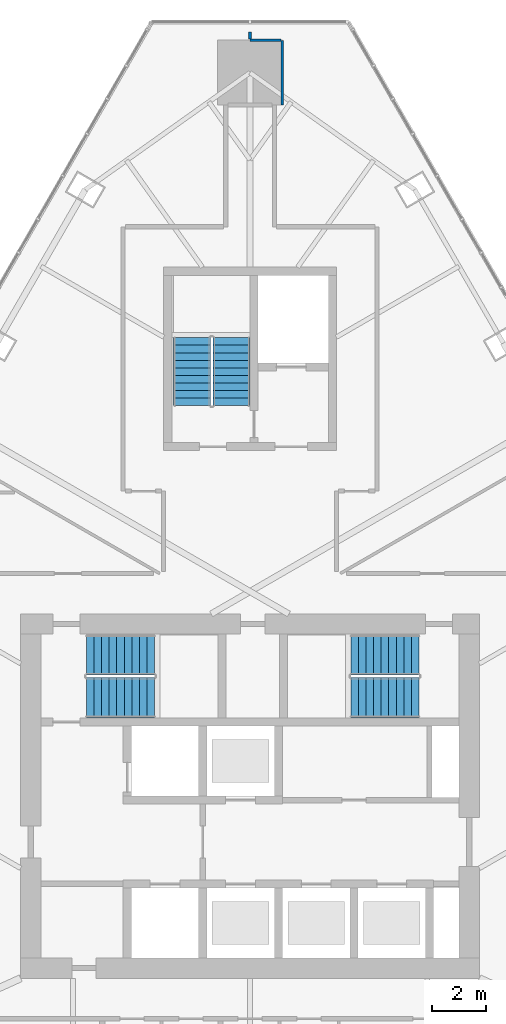
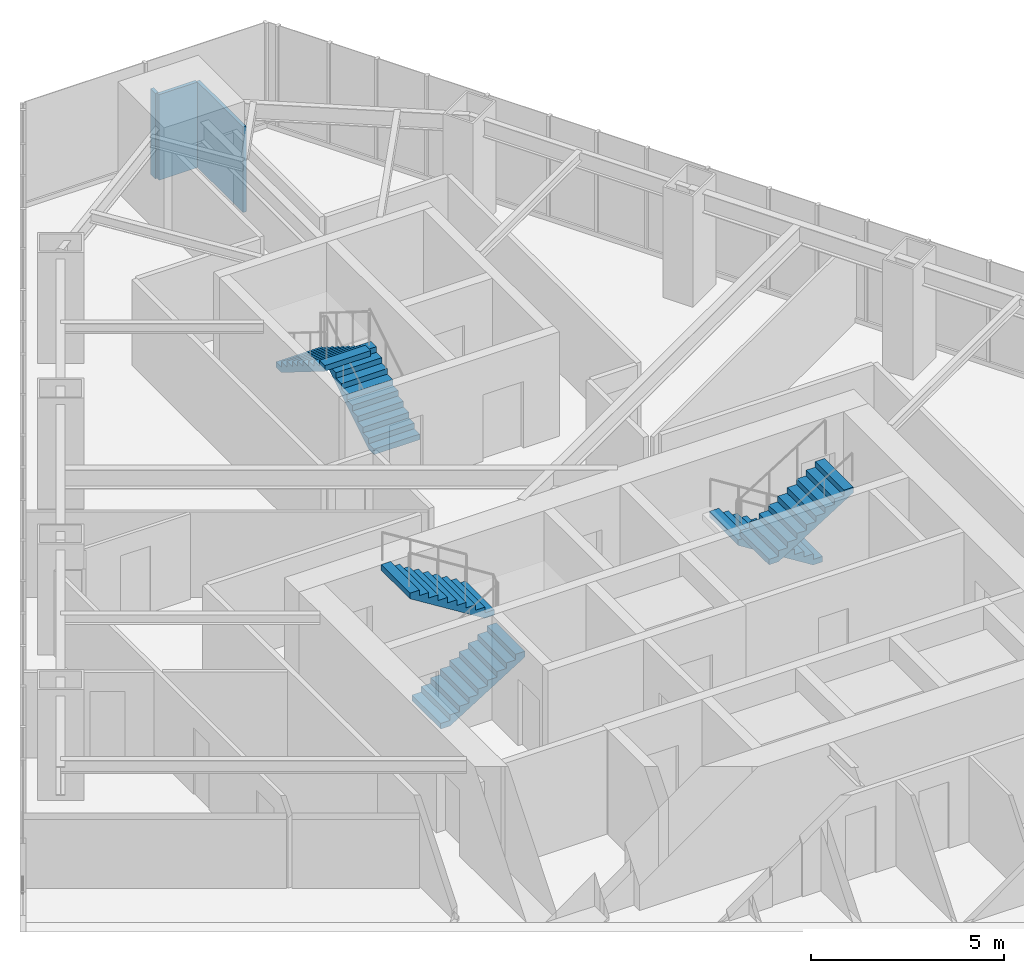
# One storey, part 19 of 21: 6 stair flights, 3 walls, 3 elements without a shape of their own.
"""IFC4 building model written with IfcOpenShell, lengths in metres."""

import ifcopenshell
import ifcopenshell.guid

model = None  # the IFC model being written
_history = None  # IfcOwnerHistory: only IFC2X3 demands one
_inside = {}  # id of a spatial element -> (the spatial element, [elements in it])
_under = {}  # id of a project, library or spatial element -> (it, [spatial elements below it])
_declared = {}  # id of a project -> (the project, [libraries it declares])
_typed = {}  # id of a type object -> (the type object, [elements of that type])
_made_of = {}  # id of a material, layer set ... -> (it, [elements and type objects made of it])


def new_model(schema):
    """Start an empty IFC model of exactly this schema.

    Asked for "IFC4X3", IfcOpenShell would pick the latest addendum, in which some entities
    have other attributes; the version numbers below select the first issue.
    IFC2X3 requires an IfcOwnerHistory on every rooted entity: one is made here for all.
    """
    global model, _history
    if schema == "IFC4X3":
        model = ifcopenshell.file(schema_version=(4, 3, 0, 0))
    else:
        model = ifcopenshell.file(schema=schema)
    _inside.clear()
    _under.clear()
    _declared.clear()
    _typed.clear()
    _made_of.clear()
    _history = None
    if model.schema == "IFC2X3":
        org = make("IfcOrganization", Name="unknown")
        user = make(
            "IfcPersonAndOrganization",
            ThePerson=make("IfcPerson", FamilyName="unknown"),
            TheOrganization=org,
        )
        app = make(
            "IfcApplication",
            ApplicationDeveloper=org,
            Version="unknown",
            ApplicationFullName="unknown",
            ApplicationIdentifier="unknown",
        )
        _history = make(
            "IfcOwnerHistory",
            OwningUser=user,
            OwningApplication=app,
            ChangeAction="ADDED",
            CreationDate=0,
        )
    return model


def make(cls, **values):
    """One entity of the class cls with the attributes given. An attribute that is None is left unset."""
    return model.create_entity(
        cls, **{name: value for name, value in values.items() if value is not None}
    )


def rooted(cls, **values):
    """An entity with a GlobalId (a new one), such as an element, a storey or a relation."""
    return make(cls, GlobalId=ifcopenshell.guid.new(), OwnerHistory=_history, **values)


def si_unit(unit_type, name, prefix=None):
    """IfcSIUnit, for example si_unit("LENGTHUNIT", "METRE", prefix="MILLI")."""
    return make("IfcSIUnit", UnitType=unit_type, Prefix=prefix, Name=name)


def assignment(units):
    """IfcUnitAssignment: the units of a project."""
    return None if units is None else make("IfcUnitAssignment", Units=units)


def point(xyz):
    """IfcCartesianPoint."""
    return None if xyz is None else make("IfcCartesianPoint", Coordinates=xyz)


def direction(xyz):
    """IfcDirection."""
    return None if xyz is None else make("IfcDirection", DirectionRatios=xyz)


def frame(location, z_axis=None, x_axis=None):
    """IfcAxis2Placement3D, a coordinate frame: its origin and axes. An axis left out is left unset."""
    return make(
        "IfcAxis2Placement3D",
        Location=point(location),
        Axis=direction(z_axis),
        RefDirection=direction(x_axis),
    )


def frame_2d(location, x_axis=None):
    """IfcAxis2Placement2D, a coordinate frame in the plane: its origin and x axis."""
    return make(
        "IfcAxis2Placement2D", Location=point(location), RefDirection=direction(x_axis)
    )


def origin():
    """The frame at (0, 0, 0) with its axes left unset."""
    return frame((0.0, 0.0, 0.0))


def place(relative_to, where):
    """IfcLocalPlacement: puts the frame where relative to a parent placement (None: the world)."""
    return make(
        "IfcLocalPlacement", PlacementRelTo=relative_to, RelativePlacement=where
    )


def context(
    kind, dimensions, precision=None, world=None, true_north=None, identifier=None
):
    """IfcGeometricRepresentationContext, for example the 3D "Model" context."""
    return make(
        "IfcGeometricRepresentationContext",
        ContextIdentifier=identifier,
        ContextType=kind,
        CoordinateSpaceDimension=dimensions,
        Precision=precision,
        WorldCoordinateSystem=world,
        TrueNorth=true_north,
    )


def subcontext(parent, identifier, kind, view, scale=None):
    """IfcGeometricRepresentationSubContext, for example "Body" below "Model"."""
    return make(
        "IfcGeometricRepresentationSubContext",
        ContextIdentifier=identifier,
        ContextType=kind,
        ParentContext=parent,
        TargetScale=scale,
        TargetView=view,
    )


def project(units=None, contexts=None):
    """IfcProject with its units and contexts."""
    return rooted(
        "IfcProject",
        Name="project",
        RepresentationContexts=contexts,
        UnitsInContext=assignment(units),
    )


def spatial(cls, under=None, at=None, **own):
    """A site, building, storey or space (cls), placed at a placement, below another one or the project."""
    s = rooted(cls, ObjectPlacement=at, **own)
    if under is not None:
        _under.setdefault(under.id(), (under, []))[1].append(s)
    return s


def polyline(points):
    """IfcPolyline through the points."""
    return make("IfcPolyline", Points=[point(p) for p in points])


def profile(cls, at=None, kind="AREA", **sizes):
    """A parametric profile (cls). Its sizes go by their IFC names, for example OverallWidth=200.0."""
    return make(cls, ProfileType=kind, Position=at, **sizes)


def rectangle(**sizes):
    """IfcRectangleProfileDef."""
    return profile("IfcRectangleProfileDef", **sizes)


def outline(outer, holes=None, kind="AREA"):
    """IfcArbitraryClosedProfileDef: a profile drawn as a closed curve; with holes, ...WithVoids."""
    if holes is None:
        return make("IfcArbitraryClosedProfileDef", ProfileType=kind, OuterCurve=outer)
    return make(
        "IfcArbitraryProfileDefWithVoids",
        ProfileType=kind,
        OuterCurve=outer,
        InnerCurves=holes,
    )


def extrude(swept, where, along, depth):
    """IfcExtrudedAreaSolid: the profile swept, set in the frame where, extruded along a direction by depth."""
    return make(
        "IfcExtrudedAreaSolid",
        SweptArea=swept,
        Position=where,
        ExtrudedDirection=direction(along),
        Depth=depth,
    )


def shape(context_of_items, identifier, shape_type, items):
    """IfcShapeRepresentation: the items that make up one representation, for example the "Body"."""
    return make(
        "IfcShapeRepresentation",
        ContextOfItems=context_of_items,
        RepresentationIdentifier=identifier,
        RepresentationType=shape_type,
        Items=items,
    )


def material(Name=None, Category=None):
    """IfcMaterial."""
    return make("IfcMaterial", Name=Name, Category=Category)


def layer(
    of_material, thickness, ventilated=None, Name=None, Category=None, Priority=None
):
    """IfcMaterialLayer: one layer of a wall or slab, of a material (None: an air gap)."""
    return make(
        "IfcMaterialLayer",
        Material=of_material,
        LayerThickness=thickness,
        IsVentilated=ventilated,
        Name=Name,
        Category=Category,
        Priority=Priority,
    )


def layer_set(layers, Name=None):
    """IfcMaterialLayerSet."""
    return make("IfcMaterialLayerSet", MaterialLayers=layers, LayerSetName=Name)


def made_of(thing, what):
    """Note that an element or type object is made of a material, layer set ...; save() writes the relation."""
    if what is not None:
        _made_of.setdefault(what.id(), (what, []))[1].append(thing)
    return thing


def type_object(cls, material=None, **own):
    """A type object (cls), such as IfcWallType, which elements share."""
    return made_of(rooted(cls, **own), material)


def element(
    cls,
    number,
    at=None,
    inside=None,
    cuts=None,
    type_object=None,
    material=None,
    context=None,
    identifier="Body",
    shape_type=None,
    held_by="IfcProductDefinitionShape",
    body=None,
    shapes=None,
    **own,
):
    """One element of the class cls, such as IfcWall. Its Tag is "e" and its number.

    at: its placement. inside: the storey or other place that contains it. cuts: it is an
    opening in that element (IfcRelVoidsElement). A single representation is given by context,
    identifier, shape_type and body (its items); several are given by shapes. held_by: the class
    of the entity that holds the representations. save() writes the other relations.
    """
    e = rooted(cls, Tag="e%d" % number, ObjectPlacement=at, **own)
    if body is not None:
        shapes = [shape(context, identifier, shape_type, body)]
    if shapes is not None:
        e.Representation = make(held_by, Representations=shapes)
    if inside is not None:
        _inside.setdefault(inside.id(), (inside, []))[1].append(e)
    if cuts is not None:
        rooted(
            "IfcRelVoidsElement", RelatingBuildingElement=cuts, RelatedOpeningElement=e
        )
    if type_object is not None:
        _typed.setdefault(type_object.id(), (type_object, []))[1].append(e)
    return made_of(e, material)


def aggregate(whole, parts):
    """IfcRelAggregates: a whole, such as a stair, and the parts it consists of."""
    return rooted("IfcRelAggregates", RelatingObject=whole, RelatedObjects=parts)


def save(model, path):
    """Write the relations noted so far, then the file.

    IfcRelAggregates (storeys below a building ...), IfcRelContainedInSpatialStructure (elements
    in a storey), IfcRelDefinesByType, IfcRelAssociatesMaterial and IfcRelDeclares: one each for
    every whole, place, type object, material and project.
    """
    for whole, parts in _under.values():
        aggregate(whole, parts)
    for where, things in _inside.values():
        rooted(
            "IfcRelContainedInSpatialStructure",
            RelatedElements=things,
            RelatingStructure=where,
        )
    for kind, things in _typed.values():
        rooted("IfcRelDefinesByType", RelatedObjects=things, RelatingType=kind)
    for what, things in _made_of.values():
        rooted("IfcRelAssociatesMaterial", RelatedObjects=things, RelatingMaterial=what)
    for by, libraries in _declared.values():
        rooted("IfcRelDeclares", RelatingContext=by, RelatedDefinitions=libraries)
    model.write(path)


model = new_model("IFC4")

# Units and contexts
model_context = context("Model", 3, precision=1e-05, world=origin(), true_north=direction((0.0, 1.0)))
body_context = subcontext(model_context, "Body", "Model", "MODEL_VIEW")
ifc_project = project(units=[si_unit("LENGTHUNIT", "METRE"), si_unit("AREAUNIT", "SQUARE_METRE"), si_unit("VOLUMEUNIT", "CUBIC_METRE"), si_unit("PLANEANGLEUNIT", "RADIAN"), si_unit("MASSUNIT", "GRAM", prefix="KILO")], contexts=[model_context])

# Site, building, storey
site_placement = place(None, origin())
site = spatial("IfcSite", under=ifc_project, at=site_placement, CompositionType="ELEMENT")
building_placement = place(site_placement, origin())
building = spatial("IfcBuilding", under=site, at=building_placement, Name="Firuza Gate Tower and Library", CompositionType="ELEMENT")
storey_placement = place(building_placement, frame((0.0, 0.0, 274.10009765625)))
storey = spatial("IfcBuildingStorey", under=building, at=storey_placement, Name="L65", CompositionType="ELEMENT", Elevation=274.10009765625)

# Walls
ifc_material_1 = material(Name="Gypsum board partition")
ifc_layer = layer(ifc_material_1, 0.10009765625)
ifc_layer_set = layer_set([ifc_layer], Name="Partition 100 gypsum board on steel studs")
wall_type = type_object("IfcWallType", Name="Partition 100 gypsum board on steel studs", PredefinedType="PARTITIONING", material=ifc_layer_set)
wall_1_placement = place(storey_placement, frame((75.00048828125, 103.011962890625, 0.0), z_axis=(0.0, 0.0, 1.0), x_axis=(1.0, 0.0, 0.0)))
element("IfcWall", 1, at=wall_1_placement, inside=storey, type_object=wall_type, Name="f:L65:w014", PredefinedType="PARTITIONING", context=body_context, shape_type="SweptSolid", body=[
    extrude(rectangle(XDim=1.1474609375, YDim=0.10009765625, at=frame_2d((0.57373046875, 0.0))), origin(), (0.0, 0.0, 1.0), 2.699951171875),
])
wall_2_placement = place(storey_placement, frame((76.199951171875, 100.614013671875, 0.0), z_axis=(0.0, 0.0, 1.0), x_axis=(0.0, 1.0, 0.0)))
element("IfcWall", 2, at=wall_2_placement, inside=storey, type_object=wall_type, Name="f:L65:w036", PredefinedType="PARTITIONING", context=body_context, shape_type="SweptSolid", body=[
    extrude(rectangle(XDim=2.39599609375, YDim=0.10009765625, at=frame_2d((1.197998046875, 0.0))), origin(), (0.0, 0.0, 1.0), 2.699951171875),
])
wall_3_placement = place(storey_placement, frame((75.0, 103.0625, 0.0), z_axis=(0.0, 0.0, 1.0), x_axis=(0.0, 1.0, 0.0)))
element("IfcWall", 3, at=wall_3_placement, inside=storey, type_object=wall_type, Name="f:L65:w039", PredefinedType="PARTITIONING", context=body_context, shape_type="SweptSolid", body=[
    extrude(rectangle(XDim=0.249267578125, YDim=0.10009765625, at=frame_2d((0.12451171875, 0.0))), origin(), (0.0, 0.0, 1.0), 2.699951171875),
])

# Stair, stair flights
ifc_material_2 = material(Name="Concrete C35/45", Category="concrete")
stair_type_1 = type_object("IfcStairType", Name="Exit stair ST17", PredefinedType="HALF_TURN_STAIR", material=ifc_material_2)
placement = place(storey_placement, origin())
stair_1 = element("IfcStair", 4, at=placement, inside=storey, type_object=stair_type_1, Name="L65 Stair ST3", PredefinedType="HALF_TURN_STAIR")
ifc_material_3 = material(Name="Concrete C35/45", Category="concrete")
stair_flight_type_1 = type_object("IfcStairFlightType", Name="Stair flight 10 risers 175 width 1370", PredefinedType="STRAIGHT", material=ifc_material_3)
stair_flight_1_placement = place(storey_placement, frame((74.31494140625, 89.469970703125, 0.0), z_axis=(0.0, 0.0, 1.0), x_axis=(0.0, 1.0, 0.0)))
stair_flight_1 = element("IfcStairFlight", 5, at=stair_flight_1_placement, type_object=stair_flight_type_1, Name="ST3 flight 1", NumberOfRisers=10, NumberOfTreads=9, PredefinedType="STRAIGHT", RiserHeight=0.175, TreadLength=0.28, context=body_context, shape_type="SweptSolid", body=[
    extrude(outline(polyline([(0.0, 0.0), (0.0, 0.175048828125), (0.280029296875, 0.175048828125), (0.280029296875, 0.35009765625), (0.56005859375, 0.35009765625), (0.56005859375, 0.52490234375), (0.840087890625, 0.52490234375), (0.840087890625, 0.699951171875), (1.1201171875, 0.699951171875), (1.1201171875, 0.875), (1.39990234375, 0.875), (1.39990234375, 1.050048828125), (1.679931640625, 1.050048828125), (1.679931640625, 1.22509765625), (1.9599609375, 1.22509765625), (1.9599609375, 1.39990234375), (2.239990234375, 1.39990234375), (2.239990234375, 1.574951171875), (2.52001953125, 1.574951171875), (2.52001953125, 1.75), (2.52001953125, 1.398193359375), (0.28271484375, 0.0), (0.0, 0.0)])), frame((0.0, 0.68505859375, 0.0), z_axis=(0.0, -1.0, 0.0), x_axis=(1.0, 0.0, 0.0)), (0.0, 0.0, 1.0), 1.3701171875),
])
stair_flight_2_placement = place(storey_placement, frame((72.844970703125, 91.989990234375, 1.75), z_axis=(0.0, 0.0, 1.0), x_axis=(0.0, -1.0, 0.0)))
stair_flight_2 = element("IfcStairFlight", 6, at=stair_flight_2_placement, type_object=stair_flight_type_1, Name="ST3 flight 2", NumberOfRisers=10, NumberOfTreads=9, PredefinedType="STRAIGHT", RiserHeight=0.175, TreadLength=0.28, context=body_context, shape_type="SweptSolid", body=[
    extrude(outline(polyline([(0.0, 0.0), (0.0, 0.175048828125), (0.280029296875, 0.175048828125), (0.280029296875, 0.35009765625), (0.56005859375, 0.35009765625), (0.56005859375, 0.52490234375), (0.840087890625, 0.52490234375), (0.840087890625, 0.699951171875), (1.1201171875, 0.699951171875), (1.1201171875, 0.875), (1.39990234375, 0.875), (1.39990234375, 1.050048828125), (1.679931640625, 1.050048828125), (1.679931640625, 1.22509765625), (1.9599609375, 1.22509765625), (1.9599609375, 1.39990234375), (2.239990234375, 1.39990234375), (2.239990234375, 1.574951171875), (2.52001953125, 1.574951171875), (2.52001953125, 1.75), (2.52001953125, 1.398193359375), (0.28271484375, 0.0), (0.0, 0.0)])), frame((0.0, 0.68505859375, 0.0), z_axis=(0.0, -1.0, 0.0), x_axis=(1.0, 0.0, 0.0)), (0.0, 0.0, 1.0), 1.3701171875),
])
aggregate(stair_1, [stair_flight_1, stair_flight_2])

ifc_material_4 = material(Name="Concrete C35/45", Category="concrete")
stair_type_2 = type_object("IfcStairType", Name="Exit stair ST8", PredefinedType="HALF_TURN_STAIR", material=ifc_material_4)
stair_2 = element("IfcStair", 7, at=placement, inside=storey, type_object=stair_type_2, Name="L65 Stair ST1", PredefinedType="HALF_TURN_STAIR")
ifc_material_5 = material(Name="Concrete C35/45", Category="concrete")
stair_flight_type_2 = type_object("IfcStairFlightType", Name="Stair flight 10 risers 175 width 1490", PredefinedType="STRAIGHT", material=ifc_material_5)
stair_flight_3_placement = place(storey_placement, frame((68.93994140625, 78.64501953125, 0.0), z_axis=(0.0, 0.0, 1.0), x_axis=(1.0, 0.0, 0.0)))
stair_flight_3 = element("IfcStairFlight", 8, at=stair_flight_3_placement, type_object=stair_flight_type_2, Name="ST1 flight 1", NumberOfRisers=10, NumberOfTreads=9, PredefinedType="STRAIGHT", RiserHeight=0.175, TreadLength=0.28, context=body_context, shape_type="SweptSolid", body=[
    extrude(outline(polyline([(0.0, 0.0), (0.0, 0.175048828125), (0.280029296875, 0.175048828125), (0.280029296875, 0.35009765625), (0.56005859375, 0.35009765625), (0.56005859375, 0.52490234375), (0.840087890625, 0.52490234375), (0.840087890625, 0.699951171875), (1.1201171875, 0.699951171875), (1.1201171875, 0.875), (1.39990234375, 0.875), (1.39990234375, 1.050048828125), (1.679931640625, 1.050048828125), (1.679931640625, 1.22509765625), (1.9599609375, 1.22509765625), (1.9599609375, 1.39990234375), (2.239990234375, 1.39990234375), (2.239990234375, 1.574951171875), (2.52001953125, 1.574951171875), (2.52001953125, 1.75), (2.52001953125, 1.398193359375), (0.28271484375, 0.0), (0.0, 0.0)])), frame((0.0, 0.7451171875, 0.0), z_axis=(0.0, -1.0, 0.0), x_axis=(1.0, 0.0, 0.0)), (0.0, 0.0, 1.0), 1.489990234375),
])
stair_flight_4_placement = place(storey_placement, frame((71.4599609375, 80.235107421875, 1.75), z_axis=(0.0, 0.0, 1.0), x_axis=(-1.0, 0.0, 0.0)))
stair_flight_4 = element("IfcStairFlight", 9, at=stair_flight_4_placement, type_object=stair_flight_type_2, Name="ST1 flight 2", NumberOfRisers=10, NumberOfTreads=9, PredefinedType="STRAIGHT", RiserHeight=0.175, TreadLength=0.28, context=body_context, shape_type="SweptSolid", body=[
    extrude(outline(polyline([(0.0, 0.0), (0.0, 0.175048828125), (0.280029296875, 0.175048828125), (0.280029296875, 0.35009765625), (0.56005859375, 0.35009765625), (0.56005859375, 0.52490234375), (0.840087890625, 0.52490234375), (0.840087890625, 0.699951171875), (1.1201171875, 0.699951171875), (1.1201171875, 0.875), (1.39990234375, 0.875), (1.39990234375, 1.050048828125), (1.679931640625, 1.050048828125), (1.679931640625, 1.22509765625), (1.9599609375, 1.22509765625), (1.9599609375, 1.39990234375), (2.239990234375, 1.39990234375), (2.239990234375, 1.574951171875), (2.52001953125, 1.574951171875), (2.52001953125, 1.75), (2.52001953125, 1.398193359375), (0.28271484375, 0.0), (0.0, 0.0)])), frame((0.0, 0.7451171875, 0.0), z_axis=(0.0, -1.0, 0.0), x_axis=(1.0, 0.0, 0.0)), (0.0, 0.0, 1.0), 1.489990234375),
])
aggregate(stair_2, [stair_flight_3, stair_flight_4])

stair_3 = element("IfcStair", 10, at=placement, inside=storey, type_object=stair_type_2, Name="L65 Stair ST2", PredefinedType="HALF_TURN_STAIR")
stair_flight_5_placement = place(storey_placement, frame((81.260009765625, 80.235107421875, 0.0), z_axis=(0.0, 0.0, 1.0), x_axis=(-1.0, 0.0, 0.0)))
stair_flight_5 = element("IfcStairFlight", 11, at=stair_flight_5_placement, type_object=stair_flight_type_2, Name="ST2 flight 1", NumberOfRisers=10, NumberOfTreads=9, PredefinedType="STRAIGHT", RiserHeight=0.175, TreadLength=0.28, context=body_context, shape_type="SweptSolid", body=[
    extrude(outline(polyline([(0.0, 0.0), (0.0, 0.175048828125), (0.280029296875, 0.175048828125), (0.280029296875, 0.35009765625), (0.56005859375, 0.35009765625), (0.56005859375, 0.52490234375), (0.840087890625, 0.52490234375), (0.840087890625, 0.699951171875), (1.1201171875, 0.699951171875), (1.1201171875, 0.875), (1.39990234375, 0.875), (1.39990234375, 1.050048828125), (1.679931640625, 1.050048828125), (1.679931640625, 1.22509765625), (1.9599609375, 1.22509765625), (1.9599609375, 1.39990234375), (2.239990234375, 1.39990234375), (2.239990234375, 1.574951171875), (2.52001953125, 1.574951171875), (2.52001953125, 1.75), (2.52001953125, 1.398193359375), (0.28271484375, 0.0), (0.0, 0.0)])), frame((0.0, 0.7451171875, 0.0), z_axis=(0.0, -1.0, 0.0), x_axis=(1.0, 0.0, 0.0)), (0.0, 0.0, 1.0), 1.489990234375),
])
stair_flight_6_placement = place(storey_placement, frame((78.739990234375, 78.64501953125, 1.75), z_axis=(0.0, 0.0, 1.0), x_axis=(1.0, 0.0, 0.0)))
stair_flight_6 = element("IfcStairFlight", 12, at=stair_flight_6_placement, type_object=stair_flight_type_2, Name="ST2 flight 2", NumberOfRisers=10, NumberOfTreads=9, PredefinedType="STRAIGHT", RiserHeight=0.175, TreadLength=0.28, context=body_context, shape_type="SweptSolid", body=[
    extrude(outline(polyline([(0.0, 0.0), (0.0, 0.175048828125), (0.280029296875, 0.175048828125), (0.280029296875, 0.35009765625), (0.56005859375, 0.35009765625), (0.56005859375, 0.52490234375), (0.840087890625, 0.52490234375), (0.840087890625, 0.699951171875), (1.1201171875, 0.699951171875), (1.1201171875, 0.875), (1.39990234375, 0.875), (1.39990234375, 1.050048828125), (1.679931640625, 1.050048828125), (1.679931640625, 1.22509765625), (1.9599609375, 1.22509765625), (1.9599609375, 1.39990234375), (2.239990234375, 1.39990234375), (2.239990234375, 1.574951171875), (2.52001953125, 1.574951171875), (2.52001953125, 1.75), (2.52001953125, 1.398193359375), (0.28271484375, 0.0), (0.0, 0.0)])), frame((0.0, 0.7451171875, 0.0), z_axis=(0.0, -1.0, 0.0), x_axis=(1.0, 0.0, 0.0)), (0.0, 0.0, 1.0), 1.489990234375),
])
aggregate(stair_3, [stair_flight_5, stair_flight_6])

save(model, "model.ifc")
